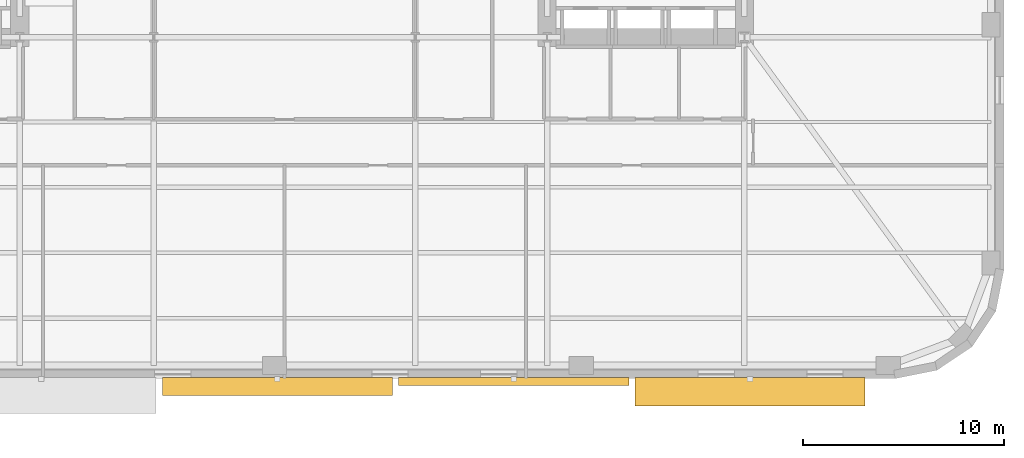
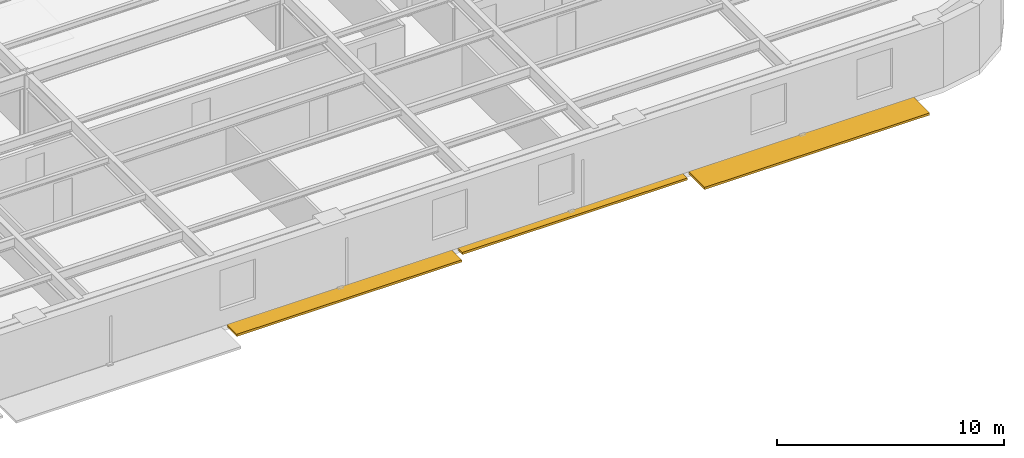
# One storey, part 11 of 15: 3 shading devices.
"""IFC4 building model written with IfcOpenShell, lengths in metres."""

from ifc_helpers import new_model, si_unit, direction, frame, origin, origin_2d, place, context, subcontext, project, spatial, rectangle, extrude, material, type_object, element, save


model = new_model("IFC4")

# Units and contexts
model_context = context("Model", 3, precision=1e-05, world=origin(), true_north=direction((0.0, 1.0)))
body_context = subcontext(model_context, "Body", "Model", "MODEL_VIEW")
ifc_project = project(units=[si_unit("LENGTHUNIT", "METRE"), si_unit("AREAUNIT", "SQUARE_METRE"), si_unit("VOLUMEUNIT", "CUBIC_METRE"), si_unit("PLANEANGLEUNIT", "RADIAN"), si_unit("MASSUNIT", "GRAM", prefix="KILO")], contexts=[model_context])

# Site, building, storey
site_placement = place(None, origin())
site = spatial("IfcSite", under=ifc_project, at=site_placement, CompositionType="ELEMENT")
building_placement = place(site_placement, origin())
building = spatial("IfcBuilding", under=site, at=building_placement, Name="Kolvaren Arena Tower", CompositionType="ELEMENT")
storey_placement = place(building_placement, frame((0.0, 0.0, 64.5)))
storey = spatial("IfcBuildingStorey", under=building, at=storey_placement, Name="L13", CompositionType="ELEMENT", Elevation=64.5)

# Shading devices
ifc_material = material(Name="Architectural precast GFRC and anodised aluminium sunshade", Category="concrete")
shading_device_type_1 = type_object("IfcShadingDeviceType", Name="SHAD-SINE-A", PredefinedType="USERDEFINED", material=ifc_material)
shading_device_1_placement = place(storey_placement, frame((48.889892578125, 2.349609375, -0.14013671875), z_axis=(0.0, 0.0, 1.0), x_axis=(-1.0, 0.0, 0.0)))
element("IfcShadingDevice", 1, at=shading_device_1_placement, inside=storey, type_object=shading_device_type_1, Name="Sinusoidal Slab-Edge Sunshade Louvre (L13)", ObjectType="LOUVRE", PredefinedType="USERDEFINED", context=body_context, shape_type="SweptSolid", body=[
    extrude(rectangle(XDim=11.43994140625, YDim=0.40087890625, at=origin_2d()), origin(), (0.0, 0.0, 1.0), 0.1201171875),
])
shading_device_2_placement = place(storey_placement, frame((37.14990234375, 2.11083984375, -0.14013671875), z_axis=(0.0, 0.0, 1.0), x_axis=(-1.0, 0.0, 0.0)))
element("IfcShadingDevice", 2, at=shading_device_2_placement, inside=storey, type_object=shading_device_type_1, Name="Sinusoidal Slab-Edge Sunshade Louvre (L13)", ObjectType="LOUVRE", PredefinedType="USERDEFINED", context=body_context, shape_type="SweptSolid", body=[
    extrude(rectangle(XDim=11.43994140625, YDim=0.878173828125, at=origin_2d()), origin(), (0.0, 0.0, 1.0), 0.1201171875),
])
shading_device_type_2 = type_object("IfcShadingDeviceType", Name="SHAD-SINE-B", PredefinedType="JALOUSIE", material=ifc_material)
shading_device_3_placement = place(storey_placement, frame((60.6298828125, 1.845458984375, -0.14013671875), z_axis=(0.0, 0.0, 1.0), x_axis=(-1.0, 0.0, 0.0)))
element("IfcShadingDevice", 3, at=shading_device_3_placement, inside=storey, type_object=shading_device_type_2, Name="Sinusoidal Slab-Edge Sunshade Louvre (L13)", PredefinedType="JALOUSIE", context=body_context, shape_type="SweptSolid", body=[
    extrude(rectangle(XDim=11.43994140625, YDim=1.4091796875, at=origin_2d()), origin(), (0.0, 0.0, 1.0), 0.1201171875),
])

save(model, "model.ifc")
